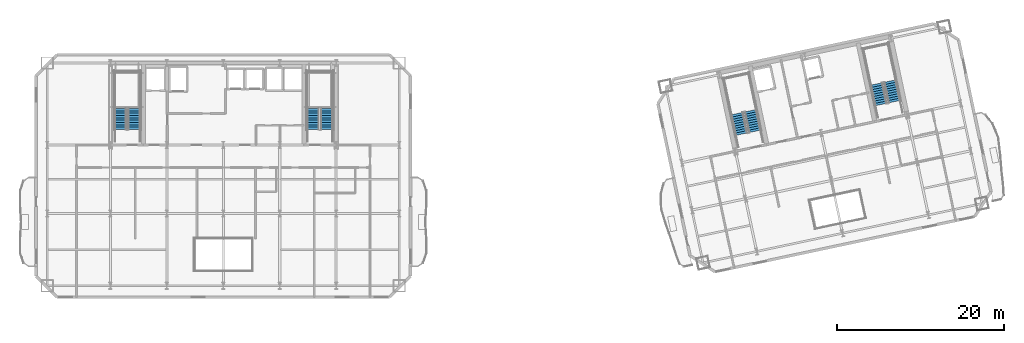
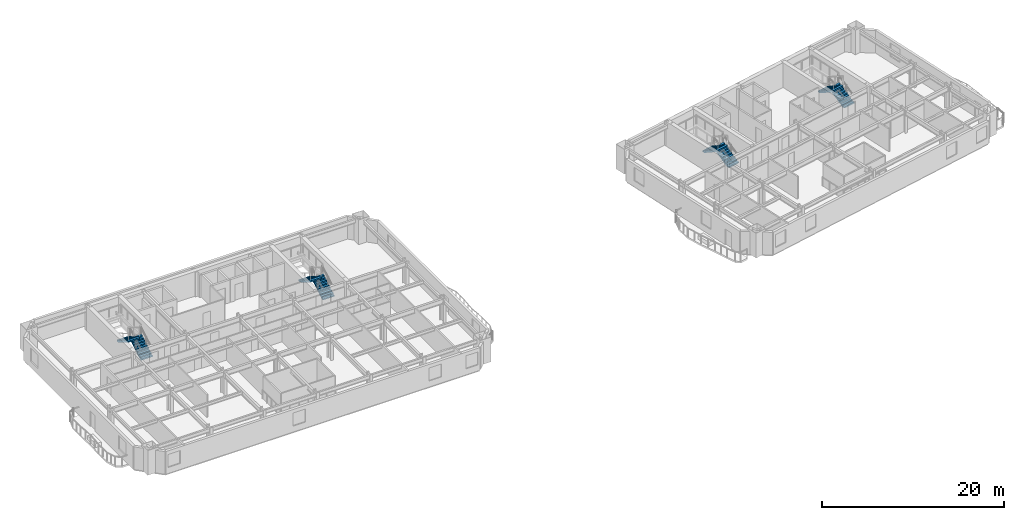
# One storey, part 9 of 13: 8 stair flights, 4 elements without a shape of their own.
"""IFC4 building model written with IfcOpenShell, lengths in metres."""

from ifc_helpers import new_model, si_unit, direction, frame, origin, place, context, subcontext, project, spatial, polyline, outline, extrude, material, type_object, element, aggregate, save


model = new_model("IFC4")

# Units and contexts
model_context = context("Model", 3, precision=1e-05, world=origin(), true_north=direction((0.0, 1.0)))
body_context = subcontext(model_context, "Body", "Model", "MODEL_VIEW")
ifc_project = project(units=[si_unit("LENGTHUNIT", "METRE"), si_unit("AREAUNIT", "SQUARE_METRE"), si_unit("VOLUMEUNIT", "CUBIC_METRE"), si_unit("PLANEANGLEUNIT", "RADIAN"), si_unit("MASSUNIT", "GRAM", prefix="KILO")], contexts=[model_context])

# Site, building, storey
site_placement = place(None, origin())
site = spatial("IfcSite", under=ifc_project, at=site_placement, CompositionType="ELEMENT")
building_placement = place(site_placement, origin())
building = spatial("IfcBuilding", under=site, at=building_placement, Name="Haevon Station Towers", CompositionType="ELEMENT")
storey_placement = place(building_placement, frame((0.0, 0.0, 126.300048828125)))
storey = spatial("IfcBuildingStorey", under=building, at=storey_placement, Name="L34", CompositionType="ELEMENT", Elevation=126.300048828125)

# Stair, stair flights
ifc_material = material(Name="Concrete C40/50", Category="concrete")
stair_type = type_object("IfcStairType", Name="STR-DL1450", PredefinedType="USERDEFINED", material=ifc_material)
stair_1_placement = place(storey_placement, origin())
stair_1 = element("IfcStair", 1, at=stair_1_placement, inside=storey, type_object=stair_type, Name="L34 Escape Stair ST1", ObjectType="TWO_RETURN_STAIR", PredefinedType="USERDEFINED")
stair_flight_type = type_object("IfcStairFlightType", Name="STF-ST1450", PredefinedType="STRAIGHT", material=ifc_material)
stair_flight_1_placement = place(storey_placement, frame((26.85498046875, 40.050048828125, 0.0), z_axis=(0.0, 0.0, 1.0), x_axis=(0.0, 1.0, 0.0)))
stair_flight_1 = element("IfcStairFlight", 2, at=stair_flight_1_placement, type_object=stair_flight_type, Name="L34 ST1 Flight 1", NumberOfRisers=10, NumberOfTreads=9, PredefinedType="STRAIGHT", RiserHeight=0.165, TreadLength=0.28, context=body_context, shape_type="SweptSolid", body=[
    extrude(outline(polyline([(0.0, 0.0), (0.0, 0.1650390625), (0.280029296875, 0.1650390625), (0.280029296875, 0.330078125), (0.56005859375, 0.330078125), (0.56005859375, 0.4951171875), (0.840087890625, 0.4951171875), (0.840087890625, 0.659912109375), (1.1201171875, 0.659912109375), (1.1201171875, 0.824951171875), (1.39990234375, 0.824951171875), (1.39990234375, 0.989990234375), (1.679931640625, 0.989990234375), (1.679931640625, 1.155029296875), (1.9599609375, 1.155029296875), (1.9599609375, 1.320068359375), (2.239990234375, 1.320068359375), (2.239990234375, 1.485107421875), (2.52001953125, 1.485107421875), (2.52001953125, 1.64990234375), (2.52001953125, 1.29931640625), (0.31494140625, 0.0), (0.0, 0.0)])), frame((0.0, 0.72509765625, 0.0), z_axis=(0.0, -1.0, 0.0), x_axis=(1.0, 0.0, 0.0)), (0.0, 0.0, 1.0), 1.449951171875),
])
stair_flight_2_placement = place(storey_placement, frame((25.205078125, 42.570068359375, 1.64990234375), z_axis=(0.0, 0.0, 1.0), x_axis=(0.0, -1.0, 0.0)))
stair_flight_2 = element("IfcStairFlight", 3, at=stair_flight_2_placement, type_object=stair_flight_type, Name="L34 ST1 Flight 2", NumberOfRisers=10, NumberOfTreads=9, PredefinedType="STRAIGHT", RiserHeight=0.165, TreadLength=0.28, context=body_context, shape_type="SweptSolid", body=[
    extrude(outline(polyline([(0.0, 0.0), (0.0, 0.1650390625), (0.280029296875, 0.1650390625), (0.280029296875, 0.330078125), (0.56005859375, 0.330078125), (0.56005859375, 0.4951171875), (0.840087890625, 0.4951171875), (0.840087890625, 0.659912109375), (1.1201171875, 0.659912109375), (1.1201171875, 0.824951171875), (1.39990234375, 0.824951171875), (1.39990234375, 0.989990234375), (1.679931640625, 0.989990234375), (1.679931640625, 1.155029296875), (1.9599609375, 1.155029296875), (1.9599609375, 1.320068359375), (2.239990234375, 1.320068359375), (2.239990234375, 1.485107421875), (2.52001953125, 1.485107421875), (2.52001953125, 1.64990234375), (2.52001953125, 1.29931640625), (0.31494140625, 0.0), (0.0, 0.0)])), frame((0.0, 0.72509765625, 0.0), z_axis=(0.0, -1.0, 0.0), x_axis=(1.0, 0.0, 0.0)), (0.0, 0.0, 1.0), 1.449951171875),
])
aggregate(stair_1, [stair_flight_1, stair_flight_2])

stair_2_placement = place(storey_placement, origin())
stair_2 = element("IfcStair", 4, at=stair_2_placement, inside=storey, type_object=stair_type, Name="L34 Escape Stair ST2", ObjectType="TWO_RETURN_STAIR", PredefinedType="USERDEFINED")
stair_flight_3_placement = place(storey_placement, frame((49.89501953125, 40.050048828125, 0.0), z_axis=(0.0, 0.0, 1.0), x_axis=(0.0, 1.0, 0.0)))
stair_flight_3 = element("IfcStairFlight", 5, at=stair_flight_3_placement, type_object=stair_flight_type, Name="L34 ST2 Flight 1", NumberOfRisers=10, NumberOfTreads=9, PredefinedType="STRAIGHT", RiserHeight=0.165, TreadLength=0.28, context=body_context, shape_type="SweptSolid", body=[
    extrude(outline(polyline([(0.0, 0.0), (0.0, 0.1650390625), (0.280029296875, 0.1650390625), (0.280029296875, 0.330078125), (0.56005859375, 0.330078125), (0.56005859375, 0.4951171875), (0.840087890625, 0.4951171875), (0.840087890625, 0.659912109375), (1.1201171875, 0.659912109375), (1.1201171875, 0.824951171875), (1.39990234375, 0.824951171875), (1.39990234375, 0.989990234375), (1.679931640625, 0.989990234375), (1.679931640625, 1.155029296875), (1.9599609375, 1.155029296875), (1.9599609375, 1.320068359375), (2.239990234375, 1.320068359375), (2.239990234375, 1.485107421875), (2.52001953125, 1.485107421875), (2.52001953125, 1.64990234375), (2.52001953125, 1.29931640625), (0.31494140625, 0.0), (0.0, 0.0)])), frame((0.0, 0.72509765625, 0.0), z_axis=(0.0, -1.0, 0.0), x_axis=(1.0, 0.0, 0.0)), (0.0, 0.0, 1.0), 1.449951171875),
])
stair_flight_4_placement = place(storey_placement, frame((48.2451171875, 42.570068359375, 1.64990234375), z_axis=(0.0, 0.0, 1.0), x_axis=(0.0, -1.0, 0.0)))
stair_flight_4 = element("IfcStairFlight", 6, at=stair_flight_4_placement, type_object=stair_flight_type, Name="L34 ST2 Flight 2", NumberOfRisers=10, NumberOfTreads=9, PredefinedType="STRAIGHT", RiserHeight=0.165, TreadLength=0.28, context=body_context, shape_type="SweptSolid", body=[
    extrude(outline(polyline([(0.0, 0.0), (0.0, 0.1650390625), (0.280029296875, 0.1650390625), (0.280029296875, 0.330078125), (0.56005859375, 0.330078125), (0.56005859375, 0.4951171875), (0.840087890625, 0.4951171875), (0.840087890625, 0.659912109375), (1.1201171875, 0.659912109375), (1.1201171875, 0.824951171875), (1.39990234375, 0.824951171875), (1.39990234375, 0.989990234375), (1.679931640625, 0.989990234375), (1.679931640625, 1.155029296875), (1.9599609375, 1.155029296875), (1.9599609375, 1.320068359375), (2.239990234375, 1.320068359375), (2.239990234375, 1.485107421875), (2.52001953125, 1.485107421875), (2.52001953125, 1.64990234375), (2.52001953125, 1.29931640625), (0.31494140625, 0.0), (0.0, 0.0)])), frame((0.0, 0.72509765625, 0.0), z_axis=(0.0, -1.0, 0.0), x_axis=(1.0, 0.0, 0.0)), (0.0, 0.0, 1.0), 1.449951171875),
])
aggregate(stair_2, [stair_flight_3, stair_flight_4])

stair_3_placement = place(storey_placement, origin())
stair_3 = element("IfcStair", 7, at=stair_3_placement, inside=storey, type_object=stair_type, Name="L34 Escape Stair ST3", ObjectType="TWO_RETURN_STAIR", PredefinedType="USERDEFINED")
stair_flight_5_placement = place(storey_placement, frame((101.1015625, 39.8330078125, 0.0), z_axis=(0.0, 0.0, 1.0), x_axis=(-0.207911690818, 0.978147600734, 0.0)))
stair_flight_5 = element("IfcStairFlight", 8, at=stair_flight_5_placement, type_object=stair_flight_type, Name="L34 ST3 Flight 1", NumberOfRisers=10, NumberOfTreads=9, PredefinedType="STRAIGHT", RiserHeight=0.165, TreadLength=0.28, context=body_context, shape_type="SweptSolid", body=[
    extrude(outline(polyline([(0.0, 0.0), (0.0, 0.1650390625), (0.280029296875, 0.1650390625), (0.280029296875, 0.330078125), (0.56005859375, 0.330078125), (0.56005859375, 0.4951171875), (0.840087890625, 0.4951171875), (0.840087890625, 0.659912109375), (1.1201171875, 0.659912109375), (1.1201171875, 0.824951171875), (1.39990234375, 0.824951171875), (1.39990234375, 0.989990234375), (1.679931640625, 0.989990234375), (1.679931640625, 1.155029296875), (1.9599609375, 1.155029296875), (1.9599609375, 1.320068359375), (2.239990234375, 1.320068359375), (2.239990234375, 1.485107421875), (2.52001953125, 1.485107421875), (2.52001953125, 1.64990234375), (2.52001953125, 1.29931640625), (0.31494140625, 0.0), (0.0, 0.0)])), frame((0.0, 0.72509765625, 0.0), z_axis=(0.0, -1.0, 0.0), x_axis=(1.0, 0.0, 0.0)), (0.0, 0.0, 1.0), 1.449951171875),
])
stair_flight_6_placement = place(storey_placement, frame((98.9638671875, 41.955078125, 1.64990234375), z_axis=(0.0, 0.0, 1.0), x_axis=(0.207911690818, -0.978147600734, 0.0)))
stair_flight_6 = element("IfcStairFlight", 9, at=stair_flight_6_placement, type_object=stair_flight_type, Name="L34 ST3 Flight 2", NumberOfRisers=10, NumberOfTreads=9, PredefinedType="STRAIGHT", RiserHeight=0.165, TreadLength=0.28, context=body_context, shape_type="SweptSolid", body=[
    extrude(outline(polyline([(0.0, 0.0), (0.0, 0.1650390625), (0.280029296875, 0.1650390625), (0.280029296875, 0.330078125), (0.56005859375, 0.330078125), (0.56005859375, 0.4951171875), (0.840087890625, 0.4951171875), (0.840087890625, 0.659912109375), (1.1201171875, 0.659912109375), (1.1201171875, 0.824951171875), (1.39990234375, 0.824951171875), (1.39990234375, 0.989990234375), (1.679931640625, 0.989990234375), (1.679931640625, 1.155029296875), (1.9599609375, 1.155029296875), (1.9599609375, 1.320068359375), (2.239990234375, 1.320068359375), (2.239990234375, 1.485107421875), (2.52001953125, 1.485107421875), (2.52001953125, 1.64990234375), (2.52001953125, 1.29931640625), (0.31494140625, 0.0), (0.0, 0.0)])), frame((0.0, 0.72509765625, 0.0), z_axis=(0.0, -1.0, 0.0), x_axis=(1.0, 0.0, 0.0)), (0.0, 0.0, 1.0), 1.449951171875),
])
aggregate(stair_3, [stair_flight_5, stair_flight_6])

stair_4_placement = place(storey_placement, origin())
stair_4 = element("IfcStair", 10, at=stair_4_placement, inside=storey, type_object=stair_type, Name="L34 Escape Stair ST4", ObjectType="TWO_RETURN_STAIR", PredefinedType="USERDEFINED")
stair_flight_7_placement = place(storey_placement, frame((117.788818359375, 43.380126953125, 0.0), z_axis=(0.0, 0.0, 1.0), x_axis=(-0.207911690818, 0.978147600734, 0.0)))
stair_flight_7 = element("IfcStairFlight", 11, at=stair_flight_7_placement, type_object=stair_flight_type, Name="L34 ST4 Flight 1", NumberOfRisers=10, NumberOfTreads=9, PredefinedType="STRAIGHT", RiserHeight=0.165, TreadLength=0.28, context=body_context, shape_type="SweptSolid", body=[
    extrude(outline(polyline([(0.0, 0.0), (0.0, 0.1650390625), (0.280029296875, 0.1650390625), (0.280029296875, 0.330078125), (0.56005859375, 0.330078125), (0.56005859375, 0.4951171875), (0.840087890625, 0.4951171875), (0.840087890625, 0.659912109375), (1.1201171875, 0.659912109375), (1.1201171875, 0.824951171875), (1.39990234375, 0.824951171875), (1.39990234375, 0.989990234375), (1.679931640625, 0.989990234375), (1.679931640625, 1.155029296875), (1.9599609375, 1.155029296875), (1.9599609375, 1.320068359375), (2.239990234375, 1.320068359375), (2.239990234375, 1.485107421875), (2.52001953125, 1.485107421875), (2.52001953125, 1.64990234375), (2.52001953125, 1.29931640625), (0.31494140625, 0.0), (0.0, 0.0)])), frame((0.0, 0.72509765625, 0.0), z_axis=(0.0, -1.0, 0.0), x_axis=(1.0, 0.0, 0.0)), (0.0, 0.0, 1.0), 1.449951171875),
])
stair_flight_8_placement = place(storey_placement, frame((115.65087890625, 45.501953125, 1.64990234375), z_axis=(0.0, 0.0, 1.0), x_axis=(0.207911690818, -0.978147600734, 0.0)))
stair_flight_8 = element("IfcStairFlight", 12, at=stair_flight_8_placement, type_object=stair_flight_type, Name="L34 ST4 Flight 2", NumberOfRisers=10, NumberOfTreads=9, PredefinedType="STRAIGHT", RiserHeight=0.165, TreadLength=0.28, context=body_context, shape_type="SweptSolid", body=[
    extrude(outline(polyline([(0.0, 0.0), (0.0, 0.1650390625), (0.280029296875, 0.1650390625), (0.280029296875, 0.330078125), (0.56005859375, 0.330078125), (0.56005859375, 0.4951171875), (0.840087890625, 0.4951171875), (0.840087890625, 0.659912109375), (1.1201171875, 0.659912109375), (1.1201171875, 0.824951171875), (1.39990234375, 0.824951171875), (1.39990234375, 0.989990234375), (1.679931640625, 0.989990234375), (1.679931640625, 1.155029296875), (1.9599609375, 1.155029296875), (1.9599609375, 1.320068359375), (2.239990234375, 1.320068359375), (2.239990234375, 1.485107421875), (2.52001953125, 1.485107421875), (2.52001953125, 1.64990234375), (2.52001953125, 1.29931640625), (0.31494140625, 0.0), (0.0, 0.0)])), frame((0.0, 0.72509765625, 0.0), z_axis=(0.0, -1.0, 0.0), x_axis=(1.0, 0.0, 0.0)), (0.0, 0.0, 1.0), 1.449951171875),
])
aggregate(stair_4, [stair_flight_7, stair_flight_8])

save(model, "model.ifc")
